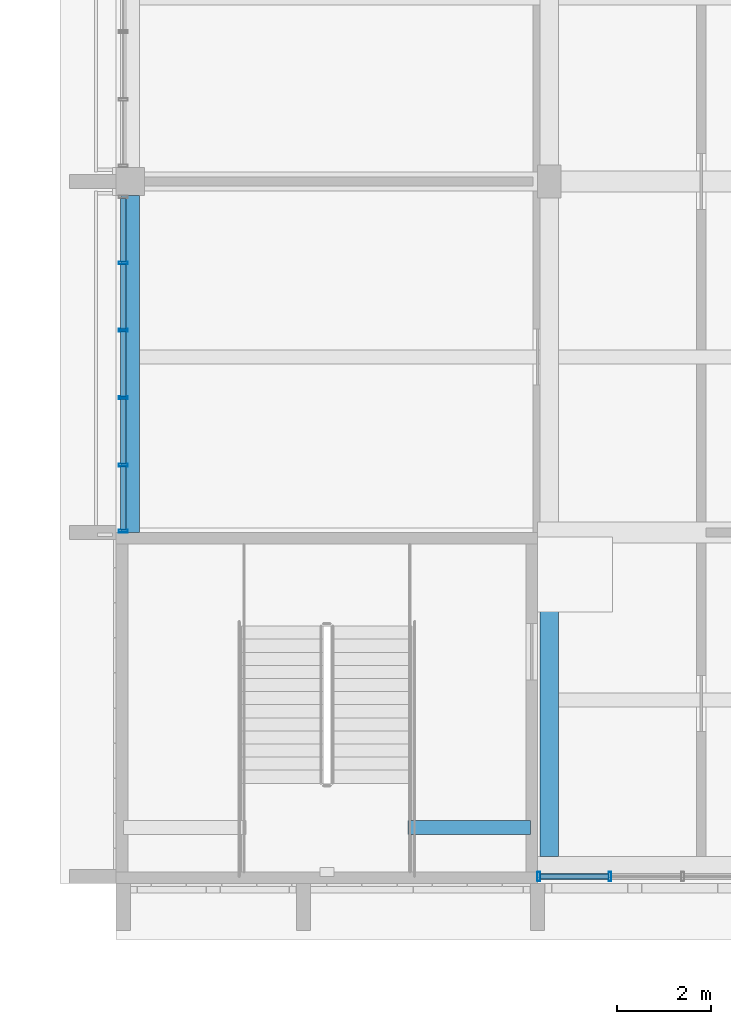
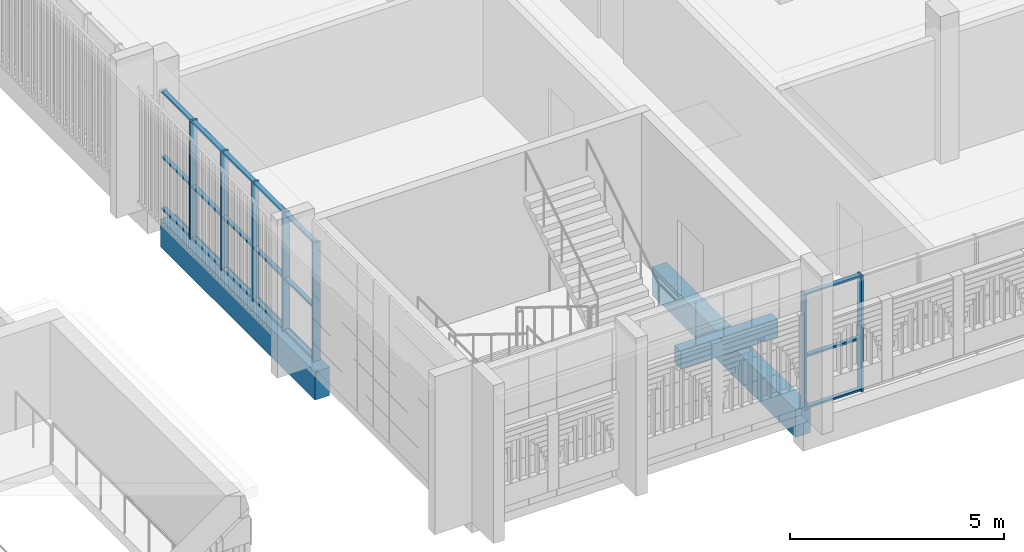
# One storey, part 15 of 98: 25 members, 3 beams, 2 elements without a shape of their own.
"""IFC4 building model written with IfcOpenShell, lengths in metres."""

from ifc_helpers import new_model, si_unit, direction, frame, origin, origin_2d, place, context, subcontext, project, spatial, rectangle, hollow_rectangle, extrude, material, material_profile, profile_set, type_object, element, aggregate, save


model = new_model("IFC4")

# Units and contexts
model_context = context("Model", 3, precision=1e-05, world=origin(), true_north=direction((0.0, 1.0)))
body_context = subcontext(model_context, "Body", "Model", "MODEL_VIEW")
ifc_project = project(units=[si_unit("LENGTHUNIT", "METRE"), si_unit("AREAUNIT", "SQUARE_METRE"), si_unit("VOLUMEUNIT", "CUBIC_METRE"), si_unit("PLANEANGLEUNIT", "RADIAN"), si_unit("MASSUNIT", "GRAM", prefix="KILO")], contexts=[model_context])

# Site, building, storey
site_placement = place(None, origin())
site = spatial("IfcSite", under=ifc_project, at=site_placement, CompositionType="ELEMENT")
building_placement = place(site_placement, origin())
building = spatial("IfcBuilding", under=site, at=building_placement, Name="Sun Court Science Centre", CompositionType="ELEMENT")
storey_placement = place(building_placement, frame((0.0, 0.0, 15.75)))
storey = spatial("IfcBuildingStorey", under=building, at=storey_placement, Name="L03", CompositionType="ELEMENT", Elevation=15.75)

# Curtain wall, members
ifc_material_1 = material(Name="Aluminium EN AW-6063 T6", Category="aluminium")
curtain_wall_type = type_object("IfcCurtainWallType", Name="Laboratory tall bay curtain wall 1500", PredefinedType="NOTDEFINED", material=ifc_material_1)
curtain_wall_1_placement = place(storey_placement, origin())
curtain_wall_1 = element("IfcCurtainWall", 1, at=curtain_wall_1_placement, inside=storey, type_object=curtain_wall_type, Name="Curtain wall V4 W L03 01", PredefinedType="NOTDEFINED")
ifc_material_2 = material(Name="Aluminium EN AW-6063 T6", Category="aluminium")
ifc_material_profile_1 = material_profile(ifc_material_2, hollow_rectangle(XDim=0.06005859375, YDim=0.199951171875, WallThickness=0.0048828125, InnerFilletRadius=0.0048828125, OuterFilletRadius=0.007568359375, at=origin_2d()), Name="AL 60x200x5")
ifc_profile_set_1 = profile_set([ifc_material_profile_1], Name="Aluminium EN AW-6063 T6")
member_type_1 = type_object("IfcMemberType", Name="Curtain wall mullion AL 60x200", PredefinedType="MULLION", material=ifc_profile_set_1)
member_1_placement = place(storey_placement, frame((78.14990234375, 13.530029296875, 0.0), z_axis=(0.0, 0.0, 1.0), x_axis=(0.0, 1.0, 0.0)))
member_1 = element("IfcMember", 2, at=member_1_placement, type_object=member_type_1, Name="CW2-28 mullion 1", PredefinedType="MULLION", context=body_context, shape_type="SweptSolid", body=[
    extrude(hollow_rectangle(XDim=0.06005859375, YDim=0.199951171875, WallThickness=0.0048828125, InnerFilletRadius=0.0048828125, OuterFilletRadius=0.007568359375, at=origin_2d()), origin(), (0.0, 0.0, 1.0), 3.3798828125),
])
member_2_placement = place(storey_placement, frame((78.14990234375, 14.93994140625, 0.0), z_axis=(0.0, 0.0, 1.0), x_axis=(0.0, 1.0, 0.0)))
member_2 = element("IfcMember", 3, at=member_2_placement, type_object=member_type_1, Name="CW2-28 mullion 2", PredefinedType="MULLION", context=body_context, shape_type="SweptSolid", body=[
    extrude(hollow_rectangle(XDim=0.06005859375, YDim=0.199951171875, WallThickness=0.0048828125, InnerFilletRadius=0.0048828125, OuterFilletRadius=0.007568359375, at=origin_2d()), origin(), (0.0, 0.0, 1.0), 3.3798828125),
])
member_3_placement = place(storey_placement, frame((78.14990234375, 16.3798828125, 0.0), z_axis=(0.0, 0.0, 1.0), x_axis=(0.0, 1.0, 0.0)))
member_3 = element("IfcMember", 4, at=member_3_placement, type_object=member_type_1, Name="CW2-28 mullion 3", PredefinedType="MULLION", context=body_context, shape_type="SweptSolid", body=[
    extrude(hollow_rectangle(XDim=0.06005859375, YDim=0.199951171875, WallThickness=0.0048828125, InnerFilletRadius=0.0048828125, OuterFilletRadius=0.007568359375, at=origin_2d()), origin(), (0.0, 0.0, 1.0), 3.3798828125),
])
member_4_placement = place(storey_placement, frame((78.14990234375, 17.820068359375, 0.0), z_axis=(0.0, 0.0, 1.0), x_axis=(0.0, 1.0, 0.0)))
member_4 = element("IfcMember", 5, at=member_4_placement, type_object=member_type_1, Name="CW2-28 mullion 4", PredefinedType="MULLION", context=body_context, shape_type="SweptSolid", body=[
    extrude(hollow_rectangle(XDim=0.06005859375, YDim=0.199951171875, WallThickness=0.0048828125, InnerFilletRadius=0.0048828125, OuterFilletRadius=0.007568359375, at=origin_2d()), origin(), (0.0, 0.0, 1.0), 3.3798828125),
])
member_5_placement = place(storey_placement, frame((78.14990234375, 19.260009765625, 0.0), z_axis=(0.0, 0.0, 1.0), x_axis=(0.0, 1.0, 0.0)))
member_5 = element("IfcMember", 6, at=member_5_placement, type_object=member_type_1, Name="CW2-28 mullion 5", PredefinedType="MULLION", context=body_context, shape_type="SweptSolid", body=[
    extrude(hollow_rectangle(XDim=0.06005859375, YDim=0.199951171875, WallThickness=0.0048828125, InnerFilletRadius=0.0048828125, OuterFilletRadius=0.007568359375, at=origin_2d()), origin(), (0.0, 0.0, 1.0), 3.3798828125),
])

curtain_wall_2_placement = place(storey_placement, origin())
curtain_wall_2 = element("IfcCurtainWall", 7, at=curtain_wall_2_placement, inside=storey, type_object=curtain_wall_type, Name="Curtain wall V4 S L03 02", PredefinedType="NOTDEFINED")
member_6_placement = place(storey_placement, frame((87.030029296875, 6.14990234375, 0.0), z_axis=(0.0, 0.0, 1.0), x_axis=(-1.0, 0.0, 0.0)))
member_6 = element("IfcMember", 8, at=member_6_placement, type_object=member_type_1, Name="CW2-54 mullion 6", PredefinedType="MULLION", context=body_context, shape_type="SweptSolid", body=[
    extrude(hollow_rectangle(XDim=0.06005859375, YDim=0.199951171875, WallThickness=0.0048828125, InnerFilletRadius=0.0048828125, OuterFilletRadius=0.007568359375, at=origin_2d()), origin(), (0.0, 0.0, 1.0), 3.300048828125),
])
member_7_placement = place(storey_placement, frame((88.550048828125, 6.14990234375, 0.0), z_axis=(0.0, 0.0, 1.0), x_axis=(-1.0, 0.0, 0.0)))
member_7 = element("IfcMember", 9, at=member_7_placement, type_object=member_type_1, Name="CW2-54 mullion 5", PredefinedType="MULLION", context=body_context, shape_type="SweptSolid", body=[
    extrude(hollow_rectangle(XDim=0.06005859375, YDim=0.199951171875, WallThickness=0.0048828125, InnerFilletRadius=0.0048828125, OuterFilletRadius=0.007568359375, at=origin_2d()), origin(), (0.0, 0.0, 1.0), 3.300048828125),
])

# Member
ifc_material_3 = material(Name="Aluminium EN AW-6063 T6", Category="aluminium")
ifc_material_profile_2 = material_profile(ifc_material_3, hollow_rectangle(XDim=0.06005859375, YDim=0.1201171875, WallThickness=0.00390625, InnerFilletRadius=0.00390625, OuterFilletRadius=0.006103515625, at=origin_2d()), Name="AL 60x120x4")
ifc_profile_set_2 = profile_set([ifc_material_profile_2], Name="Aluminium EN AW-6063 T6")
member_type_2 = type_object("IfcMemberType", Name="Curtain wall transom AL 60x120", PredefinedType="USERDEFINED", material=ifc_profile_set_2)
member_8_placement = place(storey_placement, frame((78.14990234375, 13.56005859375, 0.030029296875), z_axis=(0.0, 1.0, 0.0), x_axis=(0.0, 0.0, 1.0)))
member_8 = element("IfcMember", 10, at=member_8_placement, type_object=member_type_2, Name="CW2-28 transom 1.1", ObjectType="TRANSOM", PredefinedType="USERDEFINED", context=body_context, shape_type="SweptSolid", body=[
    extrude(hollow_rectangle(XDim=0.06005859375, YDim=0.1201171875, WallThickness=0.00390625, InnerFilletRadius=0.00390625, OuterFilletRadius=0.006103515625, at=origin_2d()), origin(), (0.0, 0.0, 1.0), 1.349853515625),
])

member_9_placement = place(storey_placement, frame((78.14990234375, 14.969970703125, 0.030029296875), z_axis=(0.0, 1.0, 0.0), x_axis=(0.0, 0.0, 1.0)))
member_9 = element("IfcMember", 11, at=member_9_placement, type_object=member_type_2, Name="CW2-28 transom 2.1", ObjectType="TRANSOM", PredefinedType="USERDEFINED", context=body_context, shape_type="SweptSolid", body=[
    extrude(hollow_rectangle(XDim=0.06005859375, YDim=0.1201171875, WallThickness=0.00390625, InnerFilletRadius=0.00390625, OuterFilletRadius=0.006103515625, at=origin_2d()), origin(), (0.0, 0.0, 1.0), 1.380126953125),
])

member_10_placement = place(storey_placement, frame((78.14990234375, 16.409912109375, 0.030029296875), z_axis=(0.0, 1.0, 0.0), x_axis=(0.0, 0.0, 1.0)))
member_10 = element("IfcMember", 12, at=member_10_placement, type_object=member_type_2, Name="CW2-28 transom 3.1", ObjectType="TRANSOM", PredefinedType="USERDEFINED", context=body_context, shape_type="SweptSolid", body=[
    extrude(hollow_rectangle(XDim=0.06005859375, YDim=0.1201171875, WallThickness=0.00390625, InnerFilletRadius=0.00390625, OuterFilletRadius=0.006103515625, at=origin_2d()), origin(), (0.0, 0.0, 1.0), 1.380126953125),
])

member_11_placement = place(storey_placement, frame((78.14990234375, 17.85009765625, 0.030029296875), z_axis=(0.0, 1.0, 0.0), x_axis=(0.0, 0.0, 1.0)))
member_11 = element("IfcMember", 13, at=member_11_placement, type_object=member_type_2, Name="CW2-28 transom 4.1", ObjectType="TRANSOM", PredefinedType="USERDEFINED", context=body_context, shape_type="SweptSolid", body=[
    extrude(hollow_rectangle(XDim=0.06005859375, YDim=0.1201171875, WallThickness=0.00390625, InnerFilletRadius=0.00390625, OuterFilletRadius=0.006103515625, at=origin_2d()), origin(), (0.0, 0.0, 1.0), 1.3798828125),
])

member_12_placement = place(storey_placement, frame((78.14990234375, 19.2900390625, 0.030029296875), z_axis=(0.0, 1.0, 0.0), x_axis=(0.0, 0.0, 1.0)))
member_12 = element("IfcMember", 14, at=member_12_placement, type_object=member_type_2, Name="CW2-28 transom 5.1", ObjectType="TRANSOM", PredefinedType="USERDEFINED", context=body_context, shape_type="SweptSolid", body=[
    extrude(hollow_rectangle(XDim=0.06005859375, YDim=0.1201171875, WallThickness=0.00390625, InnerFilletRadius=0.00390625, OuterFilletRadius=0.006103515625, at=origin_2d()), origin(), (0.0, 0.0, 1.0), 1.349853515625),
])

member_13_placement = place(storey_placement, frame((78.14990234375, 13.56005859375, 1.5), z_axis=(0.0, 1.0, 0.0), x_axis=(0.0, 0.0, 1.0)))
member_13 = element("IfcMember", 15, at=member_13_placement, type_object=member_type_2, Name="CW2-28 transom 1.2", ObjectType="TRANSOM", PredefinedType="USERDEFINED", context=body_context, shape_type="SweptSolid", body=[
    extrude(hollow_rectangle(XDim=0.06005859375, YDim=0.1201171875, WallThickness=0.00390625, InnerFilletRadius=0.00390625, OuterFilletRadius=0.006103515625, at=origin_2d()), origin(), (0.0, 0.0, 1.0), 1.349853515625),
])

member_14_placement = place(storey_placement, frame((78.14990234375, 14.969970703125, 1.5), z_axis=(0.0, 1.0, 0.0), x_axis=(0.0, 0.0, 1.0)))
member_14 = element("IfcMember", 16, at=member_14_placement, type_object=member_type_2, Name="CW2-28 transom 2.2", ObjectType="TRANSOM", PredefinedType="USERDEFINED", context=body_context, shape_type="SweptSolid", body=[
    extrude(hollow_rectangle(XDim=0.06005859375, YDim=0.1201171875, WallThickness=0.00390625, InnerFilletRadius=0.00390625, OuterFilletRadius=0.006103515625, at=origin_2d()), origin(), (0.0, 0.0, 1.0), 1.380126953125),
])

member_15_placement = place(storey_placement, frame((78.14990234375, 16.409912109375, 1.5), z_axis=(0.0, 1.0, 0.0), x_axis=(0.0, 0.0, 1.0)))
member_15 = element("IfcMember", 17, at=member_15_placement, type_object=member_type_2, Name="CW2-28 transom 3.2", ObjectType="TRANSOM", PredefinedType="USERDEFINED", context=body_context, shape_type="SweptSolid", body=[
    extrude(hollow_rectangle(XDim=0.06005859375, YDim=0.1201171875, WallThickness=0.00390625, InnerFilletRadius=0.00390625, OuterFilletRadius=0.006103515625, at=origin_2d()), origin(), (0.0, 0.0, 1.0), 1.380126953125),
])

member_16_placement = place(storey_placement, frame((78.14990234375, 17.85009765625, 1.5), z_axis=(0.0, 1.0, 0.0), x_axis=(0.0, 0.0, 1.0)))
member_16 = element("IfcMember", 18, at=member_16_placement, type_object=member_type_2, Name="CW2-28 transom 4.2", ObjectType="TRANSOM", PredefinedType="USERDEFINED", context=body_context, shape_type="SweptSolid", body=[
    extrude(hollow_rectangle(XDim=0.06005859375, YDim=0.1201171875, WallThickness=0.00390625, InnerFilletRadius=0.00390625, OuterFilletRadius=0.006103515625, at=origin_2d()), origin(), (0.0, 0.0, 1.0), 1.3798828125),
])

member_17_placement = place(storey_placement, frame((78.14990234375, 19.2900390625, 1.5), z_axis=(0.0, 1.0, 0.0), x_axis=(0.0, 0.0, 1.0)))
member_17 = element("IfcMember", 19, at=member_17_placement, type_object=member_type_2, Name="CW2-28 transom 5.2", ObjectType="TRANSOM", PredefinedType="USERDEFINED", context=body_context, shape_type="SweptSolid", body=[
    extrude(hollow_rectangle(XDim=0.06005859375, YDim=0.1201171875, WallThickness=0.00390625, InnerFilletRadius=0.00390625, OuterFilletRadius=0.006103515625, at=origin_2d()), origin(), (0.0, 0.0, 1.0), 1.349853515625),
])

member_18_placement = place(storey_placement, frame((78.14990234375, 13.56005859375, 3.35009765625), z_axis=(0.0, 1.0, 0.0), x_axis=(0.0, 0.0, 1.0)))
member_18 = element("IfcMember", 20, at=member_18_placement, type_object=member_type_2, Name="CW2-28 transom 1.3", ObjectType="TRANSOM", PredefinedType="USERDEFINED", context=body_context, shape_type="SweptSolid", body=[
    extrude(hollow_rectangle(XDim=0.06005859375, YDim=0.1201171875, WallThickness=0.00390625, InnerFilletRadius=0.00390625, OuterFilletRadius=0.006103515625, at=origin_2d()), origin(), (0.0, 0.0, 1.0), 1.349853515625),
])

member_19_placement = place(storey_placement, frame((78.14990234375, 14.969970703125, 3.35009765625), z_axis=(0.0, 1.0, 0.0), x_axis=(0.0, 0.0, 1.0)))
member_19 = element("IfcMember", 21, at=member_19_placement, type_object=member_type_2, Name="CW2-28 transom 2.3", ObjectType="TRANSOM", PredefinedType="USERDEFINED", context=body_context, shape_type="SweptSolid", body=[
    extrude(hollow_rectangle(XDim=0.06005859375, YDim=0.1201171875, WallThickness=0.00390625, InnerFilletRadius=0.00390625, OuterFilletRadius=0.006103515625, at=origin_2d()), origin(), (0.0, 0.0, 1.0), 1.380126953125),
])

member_20_placement = place(storey_placement, frame((78.14990234375, 16.409912109375, 3.35009765625), z_axis=(0.0, 1.0, 0.0), x_axis=(0.0, 0.0, 1.0)))
member_20 = element("IfcMember", 22, at=member_20_placement, type_object=member_type_2, Name="CW2-28 transom 3.3", ObjectType="TRANSOM", PredefinedType="USERDEFINED", context=body_context, shape_type="SweptSolid", body=[
    extrude(hollow_rectangle(XDim=0.06005859375, YDim=0.1201171875, WallThickness=0.00390625, InnerFilletRadius=0.00390625, OuterFilletRadius=0.006103515625, at=origin_2d()), origin(), (0.0, 0.0, 1.0), 1.380126953125),
])

member_21_placement = place(storey_placement, frame((78.14990234375, 17.85009765625, 3.35009765625), z_axis=(0.0, 1.0, 0.0), x_axis=(0.0, 0.0, 1.0)))
member_21 = element("IfcMember", 23, at=member_21_placement, type_object=member_type_2, Name="CW2-28 transom 4.3", ObjectType="TRANSOM", PredefinedType="USERDEFINED", context=body_context, shape_type="SweptSolid", body=[
    extrude(hollow_rectangle(XDim=0.06005859375, YDim=0.1201171875, WallThickness=0.00390625, InnerFilletRadius=0.00390625, OuterFilletRadius=0.006103515625, at=origin_2d()), origin(), (0.0, 0.0, 1.0), 1.3798828125),
])

member_22_placement = place(storey_placement, frame((78.14990234375, 19.2900390625, 3.35009765625), z_axis=(0.0, 1.0, 0.0), x_axis=(0.0, 0.0, 1.0)))
member_22 = element("IfcMember", 24, at=member_22_placement, type_object=member_type_2, Name="CW2-28 transom 5.3", ObjectType="TRANSOM", PredefinedType="USERDEFINED", context=body_context, shape_type="SweptSolid", body=[
    extrude(hollow_rectangle(XDim=0.06005859375, YDim=0.1201171875, WallThickness=0.00390625, InnerFilletRadius=0.00390625, OuterFilletRadius=0.006103515625, at=origin_2d()), origin(), (0.0, 0.0, 1.0), 1.349853515625),
])

aggregate(curtain_wall_1, [member_1, member_2, member_3, member_4, member_5, member_8, member_9, member_10, member_11, member_12, member_13, member_14, member_15, member_16, member_17, member_18, member_19, member_20, member_21, member_22])

member_23_placement = place(storey_placement, frame((88.52001953125, 6.14990234375, 0.030029296875), z_axis=(-1.0, 0.0, 0.0), x_axis=(0.0, 0.0, 1.0)))
member_23 = element("IfcMember", 25, at=member_23_placement, type_object=member_type_2, Name="CW2-54 transom 5.1", ObjectType="TRANSOM", PredefinedType="USERDEFINED", context=body_context, shape_type="SweptSolid", body=[
    extrude(hollow_rectangle(XDim=0.06005859375, YDim=0.1201171875, WallThickness=0.00390625, InnerFilletRadius=0.00390625, OuterFilletRadius=0.006103515625, at=origin_2d()), origin(), (0.0, 0.0, 1.0), 1.4599609375),
])

member_24_placement = place(storey_placement, frame((88.52001953125, 6.14990234375, 1.5), z_axis=(-1.0, 0.0, 0.0), x_axis=(0.0, 0.0, 1.0)))
member_24 = element("IfcMember", 26, at=member_24_placement, type_object=member_type_2, Name="CW2-54 transom 5.2", ObjectType="TRANSOM", PredefinedType="USERDEFINED", context=body_context, shape_type="SweptSolid", body=[
    extrude(hollow_rectangle(XDim=0.06005859375, YDim=0.1201171875, WallThickness=0.00390625, InnerFilletRadius=0.00390625, OuterFilletRadius=0.006103515625, at=origin_2d()), origin(), (0.0, 0.0, 1.0), 1.4599609375),
])

member_25_placement = place(storey_placement, frame((88.52001953125, 6.14990234375, 3.27001953125), z_axis=(-1.0, 0.0, 0.0), x_axis=(0.0, 0.0, 1.0)))
member_25 = element("IfcMember", 27, at=member_25_placement, type_object=member_type_2, Name="CW2-54 transom 5.3", ObjectType="TRANSOM", PredefinedType="USERDEFINED", context=body_context, shape_type="SweptSolid", body=[
    extrude(hollow_rectangle(XDim=0.06005859375, YDim=0.1201171875, WallThickness=0.00390625, InnerFilletRadius=0.00390625, OuterFilletRadius=0.006103515625, at=origin_2d()), origin(), (0.0, 0.0, 1.0), 1.4599609375),
])

aggregate(curtain_wall_2, [member_6, member_7, member_23, member_24, member_25])

# Beams
ifc_material_4 = material(Name="Concrete C25/30", Category="concrete")
ifc_material_profile_3 = material_profile(ifc_material_4, rectangle(XDim=0.39990234375, YDim=0.800048828125, at=origin_2d()), Name="RC 400x800")
ifc_profile_set_3 = profile_set([ifc_material_profile_3], Name="Concrete C25/30")
beam_type_1 = type_object("IfcBeamType", Name="RC girder 400x800", PredefinedType="BEAM", material=ifc_profile_set_3)
beam_1_placement = place(storey_placement, frame((78.300048828125, 13.5, -0.699951171875), z_axis=(0.0, 1.0, 0.0), x_axis=(-1.0, 0.0, 0.0)))
element("IfcBeam", 28, at=beam_1_placement, inside=storey, type_object=beam_type_1, Name="Girder L03 line 1", PredefinedType="BEAM", context=body_context, shape_type="SweptSolid", body=[
    extrude(rectangle(XDim=0.39990234375, YDim=0.800048828125, at=origin_2d()), origin(), (0.0, 0.0, 1.0), 7.199951171875),
])
beam_2_placement = place(storey_placement, frame((87.25, 6.574951171875, -0.699951171875), z_axis=(0.0, 1.0, 0.0), x_axis=(-1.0, 0.0, 0.0)))
element("IfcBeam", 29, at=beam_2_placement, inside=storey, type_object=beam_type_1, Name="Girder L03 line 2", PredefinedType="BEAM", context=body_context, shape_type="SweptSolid", body=[
    extrude(rectangle(XDim=0.39990234375, YDim=0.800048828125, at=origin_2d()), origin(), (0.0, 0.0, 1.0), 6.699951171875),
])
ifc_material_5 = material(Name="Concrete C25/30", Category="concrete")
ifc_material_profile_4 = material_profile(ifc_material_5, rectangle(XDim=0.300048828125, YDim=0.5, at=origin_2d()), Name="RC 300x500")
ifc_profile_set_4 = profile_set([ifc_material_profile_4], Name="Concrete C25/30")
beam_type_2 = type_object("IfcBeamType", Name="RC landing trimmer 300x500", PredefinedType="BEAM", material=ifc_profile_set_4)
beam_3_placement = place(storey_placement, frame((86.85009765625, 7.196044921875, 1.800048828125), z_axis=(-1.0, 0.0, 0.0), x_axis=(0.0, -1.0, 0.0)))
element("IfcBeam", 30, at=beam_3_placement, inside=storey, type_object=beam_type_2, Name="SL1 landing 1 trimmer beam 23", PredefinedType="BEAM", context=body_context, shape_type="SweptSolid", body=[
    extrude(rectangle(XDim=0.300048828125, YDim=0.5, at=origin_2d()), origin(), (0.0, 0.0, 1.0), 2.6171875),
])

save(model, "model.ifc")
